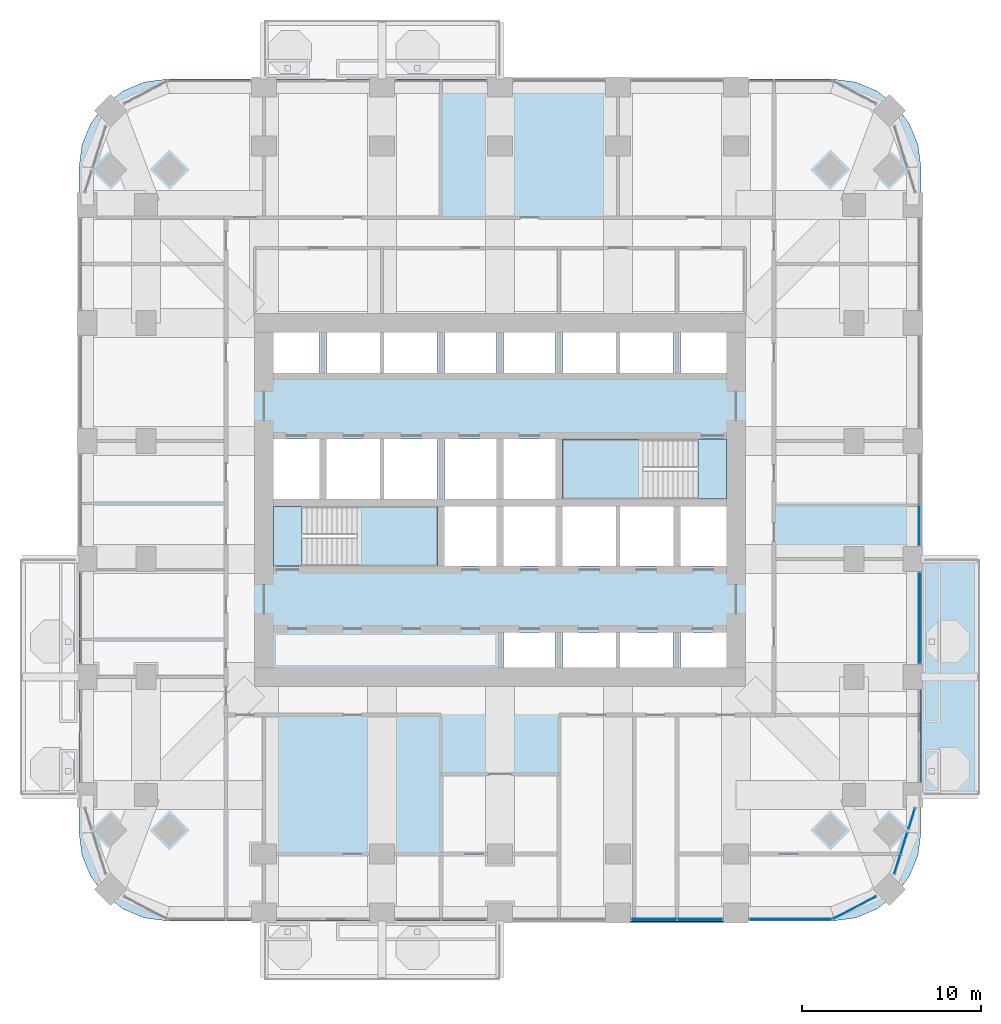
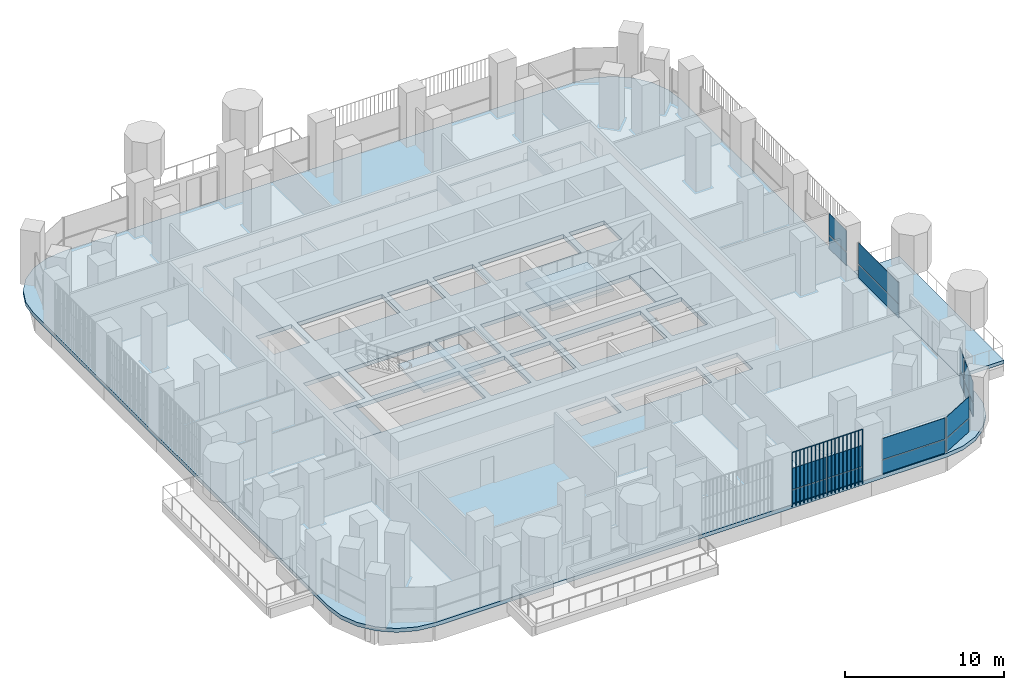
# One storey, part 9 of 21: 19 plates, 6 slabs, 9 elements without a shape of their own.
"""IFC4 building model written with IfcOpenShell, lengths in metres."""

from ifc_helpers import new_model, si_unit, direction, frame, origin, origin_2d, place, context, subcontext, project, spatial, polyline, rectangle, outline, extrude, material, layer, layer_set, type_object, element, aggregate, save


model = new_model("IFC4")

# Units and contexts
model_context = context("Model", 3, precision=1e-05, world=origin(), true_north=direction((0.0, 1.0)))
body_context = subcontext(model_context, "Body", "Model", "MODEL_VIEW")
ifc_project = project(units=[si_unit("LENGTHUNIT", "METRE"), si_unit("AREAUNIT", "SQUARE_METRE"), si_unit("VOLUMEUNIT", "CUBIC_METRE"), si_unit("PLANEANGLEUNIT", "RADIAN"), si_unit("MASSUNIT", "GRAM", prefix="KILO")], contexts=[model_context])

# Site, building, storey
site_placement = place(None, origin())
site = spatial("IfcSite", under=ifc_project, at=site_placement, CompositionType="ELEMENT")
building_placement = place(site_placement, origin())
building = spatial("IfcBuilding", under=site, at=building_placement, Name="Cobogo Forest Laboratory Tower", CompositionType="ELEMENT")
storey_placement = place(building_placement, frame((0.0, 0.0, 132.60009765625)))
storey = spatial("IfcBuildingStorey", under=building, at=storey_placement, Name="L30", CompositionType="ELEMENT", Elevation=132.60009765625)

# Slabs
ifc_material_1 = material(Name="Concrete HA-40 (C40/50)", Category="concrete")
ifc_layer_1 = layer(ifc_material_1, 0.25)
ifc_layer_set_1 = layer_set([ifc_layer_1], Name="Balcony slab 250")
slab_type_1 = type_object("IfcSlabType", Name="Balcony slab 250", PredefinedType="FLOOR", material=ifc_layer_set_1)
slab_1_placement = place(storey_placement, frame((0.0, 0.0, -0.25)))
element("IfcSlab", 1, at=slab_1_placement, inside=storey, type_object=slab_type_1, Name="Balcony BAL-E1 L30", PredefinedType="FLOOR", context=body_context, shape_type="SweptSolid", body=[
    extrude(outline(polyline([(49.949951171875, 6.60009765625), (53.25, 6.60009765625), (53.25, 19.800048828125), (49.949951171875, 19.800048828125), (49.949951171875, 6.60009765625)])), origin(), (0.0, 0.0, 1.0), 0.25),
])
ifc_layer_2 = layer(ifc_material_1, 0.300048828125)
ifc_layer_set_2 = layer_set([ifc_layer_2], Name="Floor slab 300")
slab_type_2 = type_object("IfcSlabType", Name="Floor slab 300", PredefinedType="FLOOR", material=ifc_layer_set_2)
slab_2_placement = place(storey_placement, frame((0.0, 0.0, -0.300048828125)))
element("IfcSlab", 2, at=slab_2_placement, inside=storey, type_object=slab_type_2, Name="L30 floor slab", PredefinedType="FLOOR", context=body_context, shape_type="SweptSolid", body=[
    extrude(outline(polyline([(45.0, -0.449951171875), (46.28125, -0.28125), (47.47509765625, 0.213134765625), (48.500244140625, 0.999755859375), (49.286865234375, 2.02490234375), (49.78125, 3.21875), (49.949951171875, 4.5), (49.949951171875, 41.699951171875), (49.78125, 42.981201171875), (49.286865234375, 44.175048828125), (48.500244140625, 45.2001953125), (47.47509765625, 45.98681640625), (46.28125, 46.4814453125), (45.0, 46.64990234375), (7.800048828125, 46.64990234375), (6.518798828125, 46.4814453125), (5.324951171875, 45.98681640625), (4.2998046875, 45.2001953125), (3.51318359375, 44.175048828125), (3.0185546875, 42.981201171875), (2.85009765625, 41.699951171875), (2.85009765625, 4.5), (3.0185546875, 3.21875), (3.51318359375, 2.02490234375), (4.2998046875, 0.999755859375), (5.324951171875, 0.213134765625), (6.518798828125, -0.28125), (7.800048828125, -0.449951171875), (45.0, -0.449951171875)]), holes=[polyline([(29.5, 13.72509765625), (26.60009765625, 13.72509765625), (26.60009765625, 15.699951171875), (29.5, 15.699951171875), (29.5, 13.72509765625)]), polyline([(36.10009765625, 15.699951171875), (36.10009765625, 13.72509765625), (29.89990234375, 13.72509765625), (29.89990234375, 15.699951171875), (36.10009765625, 15.699951171875)]), polyline([(36.5, 13.72509765625), (36.5, 15.699951171875), (39.074951171875, 15.699951171875), (39.074951171875, 13.72509765625), (36.5, 13.72509765625)]), polyline([(13.72509765625, 19.39990234375), (13.72509765625, 22.75), (22.89990234375, 22.75), (22.89990234375, 19.39990234375), (13.72509765625, 19.39990234375)]), polyline([(23.300048828125, 19.39990234375), (23.300048828125, 22.75), (26.199951171875, 22.75), (26.199951171875, 19.39990234375), (23.300048828125, 19.39990234375)]), polyline([(29.5, 19.39990234375), (26.60009765625, 19.39990234375), (26.60009765625, 22.75), (29.5, 22.75), (29.5, 19.39990234375)]), polyline([(36.10009765625, 22.75), (36.10009765625, 19.39990234375), (29.89990234375, 19.39990234375), (29.89990234375, 22.75), (36.10009765625, 22.75)]), polyline([(39.074951171875, 19.39990234375), (36.5, 19.39990234375), (36.5, 22.75), (39.074951171875, 22.75), (39.074951171875, 19.39990234375)]), polyline([(16.300048828125, 23.14990234375), (13.72509765625, 23.14990234375), (13.72509765625, 26.5), (16.300048828125, 26.5), (16.300048828125, 23.14990234375)]), polyline([(22.89990234375, 26.5), (22.89990234375, 23.14990234375), (16.699951171875, 23.14990234375), (16.699951171875, 26.5), (22.89990234375, 26.5)]), polyline([(26.199951171875, 23.14990234375), (23.300048828125, 23.14990234375), (23.300048828125, 26.5), (26.199951171875, 26.5), (26.199951171875, 23.14990234375)]), polyline([(26.60009765625, 23.14990234375), (26.60009765625, 26.5), (29.5, 26.5), (29.5, 23.14990234375), (26.60009765625, 23.14990234375)]), polyline([(29.89990234375, 23.14990234375), (29.89990234375, 26.5), (39.074951171875, 26.5), (39.074951171875, 23.14990234375), (29.89990234375, 23.14990234375)]), polyline([(13.72509765625, 30.199951171875), (13.72509765625, 32.47509765625), (16.300048828125, 32.47509765625), (16.300048828125, 30.199951171875), (13.72509765625, 30.199951171875)]), polyline([(22.89990234375, 32.47509765625), (22.89990234375, 30.199951171875), (16.699951171875, 30.199951171875), (16.699951171875, 32.47509765625), (22.89990234375, 32.47509765625)]), polyline([(23.300048828125, 30.199951171875), (23.300048828125, 32.47509765625), (26.199951171875, 32.47509765625), (26.199951171875, 30.199951171875), (23.300048828125, 30.199951171875)]), polyline([(26.60009765625, 30.199951171875), (26.60009765625, 32.47509765625), (29.5, 32.47509765625), (29.5, 30.199951171875), (26.60009765625, 30.199951171875)]), polyline([(36.10009765625, 32.47509765625), (36.10009765625, 30.199951171875), (29.89990234375, 30.199951171875), (29.89990234375, 32.47509765625), (36.10009765625, 32.47509765625)]), polyline([(36.5, 30.199951171875), (36.5, 32.47509765625), (39.074951171875, 32.47509765625), (39.074951171875, 30.199951171875), (36.5, 30.199951171875)])]), origin(), (0.0, 0.0, 1.0), 0.300048828125),
])

# Curtain wall, plates
ifc_material_2 = material(Name="Aluminium curtain wall", Category="aluminium")
curtain_wall_type = type_object("IfcCurtainWallType", Name="CW-1 unitised curtain wall, clear glazing, laboratory floors zones A and B", PredefinedType="USERDEFINED", material=ifc_material_2)
curtain_wall_1_placement = place(storey_placement, origin())
curtain_wall_1 = element("IfcCurtainWall", 3, at=curtain_wall_1_placement, inside=storey, type_object=curtain_wall_type, Name="Curtain wall 05 L30", ObjectType="UNITISED CURTAIN WALL", PredefinedType="USERDEFINED")
ifc_material_3 = material(Name="Clear insulated glass", Category="glass")
ifc_layer_3 = layer(ifc_material_3, 0.028076171875)
ifc_layer_set_3 = layer_set([ifc_layer_3], Name="GP-1 clear insulated glass unit 28")
plate_type_1 = type_object("IfcPlateType", Name="GP-1 clear insulated glass unit 28", PredefinedType="CURTAIN_PANEL", material=ifc_layer_set_3)
plate_1_placement = place(storey_placement, frame((35.014892578125, -0.35009765625, 0.0), z_axis=(0.0, 0.0, 1.0), x_axis=(1.0, 0.0, 0.0)))
plate_1 = element("IfcPlate", 4, at=plate_1_placement, type_object=plate_type_1, Name="CW-1 panel 1.1", PredefinedType="CURTAIN_PANEL", context=body_context, shape_type="SweptSolid", body=[
    extrude(rectangle(XDim=2.510009765625, YDim=0.028076171875, at=origin_2d()), origin(), (0.0, 0.0, 1.0), 1.02001953125),
])
plate_2_placement = place(storey_placement, frame((35.014892578125, -0.35009765625, 1.079833984375), z_axis=(0.0, 0.0, 1.0), x_axis=(1.0, 0.0, 0.0)))
plate_2 = element("IfcPlate", 5, at=plate_2_placement, type_object=plate_type_1, Name="CW-1 panel 1.2", PredefinedType="CURTAIN_PANEL", context=body_context, shape_type="SweptSolid", body=[
    extrude(rectangle(XDim=2.510009765625, YDim=0.028076171875, at=origin_2d()), origin(), (0.0, 0.0, 1.0), 1.6201171875),
])
plate_3_placement = place(storey_placement, frame((37.5849609375, -0.35009765625, 0.0), z_axis=(0.0, 0.0, 1.0), x_axis=(1.0, 0.0, 0.0)))
plate_3 = element("IfcPlate", 6, at=plate_3_placement, type_object=plate_type_1, Name="CW-1 panel 2.1", PredefinedType="CURTAIN_PANEL", context=body_context, shape_type="SweptSolid", body=[
    extrude(rectangle(XDim=2.510009765625, YDim=0.028076171875, at=origin_2d()), origin(), (0.0, 0.0, 1.0), 1.02001953125),
])
plate_4_placement = place(storey_placement, frame((37.5849609375, -0.35009765625, 1.079833984375), z_axis=(0.0, 0.0, 1.0), x_axis=(1.0, 0.0, 0.0)))
plate_4 = element("IfcPlate", 7, at=plate_4_placement, type_object=plate_type_1, Name="CW-1 panel 2.2", PredefinedType="CURTAIN_PANEL", context=body_context, shape_type="SweptSolid", body=[
    extrude(rectangle(XDim=2.510009765625, YDim=0.028076171875, at=origin_2d()), origin(), (0.0, 0.0, 1.0), 1.6201171875),
])
aggregate(curtain_wall_1, [plate_1, plate_2, plate_3, plate_4])

curtain_wall_2_placement = place(storey_placement, origin())
curtain_wall_2 = element("IfcCurtainWall", 8, at=curtain_wall_2_placement, inside=storey, type_object=curtain_wall_type, Name="Curtain wall 06 L30", ObjectType="UNITISED CURTAIN WALL", PredefinedType="USERDEFINED")
plate_5_placement = place(storey_placement, frame((42.64990234375, -0.35009765625, 0.0), z_axis=(0.0, 0.0, 1.0), x_axis=(1.0, 0.0, 0.0)))
plate_5 = element("IfcPlate", 9, at=plate_5_placement, type_object=plate_type_1, Name="CW-1 panel 1.1", PredefinedType="CURTAIN_PANEL", context=body_context, shape_type="SweptSolid", body=[
    extrude(rectangle(XDim=4.580078125, YDim=0.028076171875, at=origin_2d()), origin(), (0.0, 0.0, 1.0), 1.02001953125),
])
plate_6_placement = place(storey_placement, frame((42.64990234375, -0.35009765625, 1.079833984375), z_axis=(0.0, 0.0, 1.0), x_axis=(1.0, 0.0, 0.0)))
plate_6 = element("IfcPlate", 10, at=plate_6_placement, type_object=plate_type_1, Name="CW-1 panel 1.2", PredefinedType="CURTAIN_PANEL", context=body_context, shape_type="SweptSolid", body=[
    extrude(rectangle(XDim=4.580078125, YDim=0.028076171875, at=origin_2d()), origin(), (0.0, 0.0, 1.0), 1.6201171875),
])
aggregate(curtain_wall_2, [plate_5, plate_6])

curtain_wall_3_placement = place(storey_placement, origin())
curtain_wall_3 = element("IfcCurtainWall", 11, at=curtain_wall_3_placement, inside=storey, type_object=curtain_wall_type, Name="Curtain wall 07 L30", ObjectType="UNITISED CURTAIN WALL", PredefinedType="USERDEFINED")
plate_7_placement = place(storey_placement, frame((46.229248046875, 0.29443359375, 0.0), z_axis=(0.0, 0.0, 1.0), x_axis=(0.885686547075, 0.464283685186, 0.0)))
plate_7 = element("IfcPlate", 12, at=plate_7_placement, type_object=plate_type_1, Name="CW-1 panel 1.1", PredefinedType="CURTAIN_PANEL", context=body_context, shape_type="SweptSolid", body=[
    extrude(rectangle(XDim=2.655517578125, YDim=0.028076171875, at=origin_2d()), origin(), (0.0, 0.0, 1.0), 1.02001953125),
])
plate_8_placement = place(storey_placement, frame((46.229248046875, 0.29443359375, 1.079833984375), z_axis=(0.0, 0.0, 1.0), x_axis=(0.885686547075, 0.464283685186, 0.0)))
plate_8 = element("IfcPlate", 13, at=plate_8_placement, type_object=plate_type_1, Name="CW-1 panel 1.2", PredefinedType="CURTAIN_PANEL", context=body_context, shape_type="SweptSolid", body=[
    extrude(rectangle(XDim=2.655517578125, YDim=0.028076171875, at=origin_2d()), origin(), (0.0, 0.0, 1.0), 1.6201171875),
])
aggregate(curtain_wall_3, [plate_7, plate_8])

curtain_wall_4_placement = place(storey_placement, origin())
curtain_wall_4 = element("IfcCurtainWall", 14, at=curtain_wall_4_placement, inside=storey, type_object=curtain_wall_type, Name="Curtain wall 08 L30", ObjectType="UNITISED CURTAIN WALL", PredefinedType="USERDEFINED")
plate_9_placement = place(storey_placement, frame((48.6279296875, 2.73046875, 0.0), z_axis=(0.0, 0.0, 1.0), x_axis=(0.301135291996, 0.953581425949, 0.0)))
plate_9 = element("IfcPlate", 15, at=plate_9_placement, type_object=plate_type_1, Name="CW-1 panel 1.1", PredefinedType="CURTAIN_PANEL", context=body_context, shape_type="SweptSolid", body=[
    extrude(rectangle(XDim=1.083984375, YDim=0.028076171875, at=origin_2d()), origin(), (0.0, 0.0, 1.0), 1.02001953125),
])
plate_10_placement = place(storey_placement, frame((48.6279296875, 2.73046875, 1.079833984375), z_axis=(0.0, 0.0, 1.0), x_axis=(0.301135291996, 0.953581425949, 0.0)))
plate_10 = element("IfcPlate", 16, at=plate_10_placement, type_object=plate_type_1, Name="CW-1 panel 1.2", PredefinedType="CURTAIN_PANEL", context=body_context, shape_type="SweptSolid", body=[
    extrude(rectangle(XDim=1.083984375, YDim=0.028076171875, at=origin_2d()), origin(), (0.0, 0.0, 1.0), 1.6201171875),
])
plate_11_placement = place(storey_placement, frame((48.99365234375, 3.88818359375, 0.0), z_axis=(0.0, 0.0, 1.0), x_axis=(0.301135291996, 0.953581425949, 0.0)))
plate_11 = element("IfcPlate", 17, at=plate_11_placement, type_object=plate_type_1, Name="CW-1 panel 2.1", PredefinedType="CURTAIN_PANEL", context=body_context, shape_type="SweptSolid", body=[
    extrude(rectangle(XDim=1.223876953125, YDim=0.028076171875, at=origin_2d()), origin(), (0.0, 0.0, 1.0), 1.02001953125),
])
plate_12_placement = place(storey_placement, frame((48.99365234375, 3.88818359375, 1.079833984375), z_axis=(0.0, 0.0, 1.0), x_axis=(0.301135291996, 0.953581425949, 0.0)))
plate_12 = element("IfcPlate", 18, at=plate_12_placement, type_object=plate_type_1, Name="CW-1 panel 2.2", PredefinedType="CURTAIN_PANEL", context=body_context, shape_type="SweptSolid", body=[
    extrude(rectangle(XDim=1.223876953125, YDim=0.028076171875, at=origin_2d()), origin(), (0.0, 0.0, 1.0), 1.6201171875),
])
aggregate(curtain_wall_4, [plate_9, plate_10, plate_11, plate_12])

curtain_wall_5_placement = place(storey_placement, origin())
curtain_wall_5 = element("IfcCurtainWall", 19, at=curtain_wall_5_placement, inside=storey, type_object=curtain_wall_type, Name="Curtain wall 09 L30", ObjectType="UNITISED CURTAIN WALL", PredefinedType="USERDEFINED")
plate_13_placement = place(storey_placement, frame((49.433837890625, 5.2822265625, 0.0), z_axis=(0.0, 0.0, 1.0), x_axis=(0.301135356805, 0.953581405483, 0.0)))
plate_13 = element("IfcPlate", 20, at=plate_13_placement, type_object=plate_type_1, Name="CW-1 panel 1.1", PredefinedType="CURTAIN_PANEL", context=body_context, shape_type="SweptSolid", body=[
    extrude(rectangle(XDim=1.17578125, YDim=0.028076171875, at=origin_2d()), origin(), (0.0, 0.0, 1.0), 1.02001953125),
])
plate_14_placement = place(storey_placement, frame((49.433837890625, 5.2822265625, 1.079833984375), z_axis=(0.0, 0.0, 1.0), x_axis=(0.301135356805, 0.953581405483, 0.0)))
plate_14 = element("IfcPlate", 21, at=plate_14_placement, type_object=plate_type_1, Name="CW-1 panel 1.2", PredefinedType="CURTAIN_PANEL", context=body_context, shape_type="SweptSolid", body=[
    extrude(rectangle(XDim=1.17578125, YDim=0.028076171875, at=origin_2d()), origin(), (0.0, 0.0, 1.0), 1.6201171875),
])
aggregate(curtain_wall_5, [plate_13, plate_14])

curtain_wall_6_placement = place(storey_placement, origin())
curtain_wall_6 = element("IfcCurtainWall", 22, at=curtain_wall_6_placement, inside=storey, type_object=curtain_wall_type, Name="Curtain wall 11 L30", ObjectType="UNITISED CURTAIN WALL", PredefinedType="USERDEFINED")
plate_15_placement = place(storey_placement, frame((49.85009765625, 16.5, 0.0), z_axis=(0.0, 0.0, 1.0), x_axis=(0.0, 1.0, 0.0)))
plate_15 = element("IfcPlate", 23, at=plate_15_placement, type_object=plate_type_1, Name="CW-1 panel 1.1", PredefinedType="CURTAIN_PANEL", context=body_context, shape_type="SweptSolid", body=[
    extrude(rectangle(XDim=5.080078125, YDim=0.028076171875, at=origin_2d()), origin(), (0.0, 0.0, 1.0), 1.02001953125),
])
plate_16_placement = place(storey_placement, frame((49.85009765625, 16.5, 1.079833984375), z_axis=(0.0, 0.0, 1.0), x_axis=(0.0, 1.0, 0.0)))
plate_16 = element("IfcPlate", 24, at=plate_16_placement, type_object=plate_type_1, Name="CW-1 panel 1.2", PredefinedType="CURTAIN_PANEL", context=body_context, shape_type="SweptSolid", body=[
    extrude(rectangle(XDim=5.080078125, YDim=0.028076171875, at=origin_2d()), origin(), (0.0, 0.0, 1.0), 1.6201171875),
])
aggregate(curtain_wall_6, [plate_15, plate_16])

curtain_wall_7_placement = place(storey_placement, origin())
curtain_wall_7 = element("IfcCurtainWall", 25, at=curtain_wall_7_placement, inside=storey, type_object=curtain_wall_type, Name="Curtain wall 12 L30", ObjectType="UNITISED CURTAIN WALL", PredefinedType="USERDEFINED")
plate_17_placement = place(storey_placement, frame((49.85009765625, 21.6650390625, 0.0), z_axis=(0.0, 0.0, 1.0), x_axis=(0.0, 1.0, 0.0)))
plate_17 = element("IfcPlate", 26, at=plate_17_placement, type_object=plate_type_1, Name="CW-1 panel 1.1", PredefinedType="CURTAIN_PANEL", context=body_context, shape_type="SweptSolid", body=[
    extrude(rectangle(XDim=2.2099609375, YDim=0.028076171875, at=origin_2d()), origin(), (0.0, 0.0, 1.0), 1.02001953125),
])
plate_18_placement = place(storey_placement, frame((49.85009765625, 21.6650390625, 1.079833984375), z_axis=(0.0, 0.0, 1.0), x_axis=(0.0, 1.0, 0.0)))
plate_18 = element("IfcPlate", 27, at=plate_18_placement, type_object=plate_type_1, Name="CW-1 panel 1.2", PredefinedType="CURTAIN_PANEL", context=body_context, shape_type="SweptSolid", body=[
    extrude(rectangle(XDim=2.2099609375, YDim=0.028076171875, at=origin_2d()), origin(), (0.0, 0.0, 1.0), 1.6201171875),
])
aggregate(curtain_wall_7, [plate_17, plate_18])

# Stair, slabs
ifc_material_4 = material(Name="Precast concrete HA-40 (C40/50)", Category="concrete")
stair_type = type_object("IfcStairType", Name="ST24 exit stair 24 risers", PredefinedType="HALF_TURN_STAIR", material=ifc_material_4)
stair_1_placement = place(storey_placement, origin())
stair_1 = element("IfcStair", 28, at=stair_1_placement, inside=storey, type_object=stair_type, Name="Stair 1 L30 to L31", PredefinedType="HALF_TURN_STAIR")
ifc_layer_4 = layer(ifc_material_1, 0.199951171875)
ifc_layer_set_4 = layer_set([ifc_layer_4], Name="SL stair landing 200")
slab_type_3 = type_object("IfcSlabType", Name="SL stair landing 200", PredefinedType="LANDING", material=ifc_layer_set_4)
slab_3_placement = place(storey_placement, frame((0.0, 0.0, -0.2001953125)))
slab_3 = element("IfcSlab", 29, at=slab_3_placement, type_object=slab_type_3, Name="ST1 landing 1", PredefinedType="LANDING", context=body_context, shape_type="SweptSolid", body=[
    extrude(outline(polyline([(13.72509765625, 19.39990234375), (15.326904296875, 19.39990234375), (15.326904296875, 22.75), (13.72509765625, 22.75), (13.72509765625, 19.39990234375)])), origin(), (0.0, 0.0, 1.0), 0.2001953125),
])
slab_4_placement = place(storey_placement, frame((0.0, 0.0, 1.89990234375)))
slab_4 = element("IfcSlab", 30, at=slab_4_placement, type_object=slab_type_3, Name="ST1 landing 2", PredefinedType="LANDING", context=body_context, shape_type="SweptSolid", body=[
    extrude(outline(polyline([(18.403076171875, 19.39990234375), (22.89990234375, 19.39990234375), (22.89990234375, 22.75), (18.403076171875, 22.75), (18.403076171875, 19.39990234375)])), origin(), (0.0, 0.0, 1.0), 0.199951171875),
])
aggregate(stair_1, [slab_3, slab_4])

stair_2_placement = place(storey_placement, origin())
stair_2 = element("IfcStair", 31, at=stair_2_placement, inside=storey, type_object=stair_type, Name="Stair 2 L30 to L31", PredefinedType="HALF_TURN_STAIR")
slab_5_placement = place(storey_placement, frame((0.0, 0.0, -0.2001953125)))
slab_5 = element("IfcSlab", 32, at=slab_5_placement, type_object=slab_type_3, Name="ST2 landing 1", PredefinedType="LANDING", context=body_context, shape_type="SweptSolid", body=[
    extrude(outline(polyline([(37.472900390625, 23.14990234375), (39.074951171875, 23.14990234375), (39.074951171875, 26.5), (37.472900390625, 26.5), (37.472900390625, 23.14990234375)])), origin(), (0.0, 0.0, 1.0), 0.2001953125),
])
slab_6_placement = place(storey_placement, frame((0.0, 0.0, 1.89990234375)))
slab_6 = element("IfcSlab", 33, at=slab_6_placement, type_object=slab_type_3, Name="ST2 landing 2", PredefinedType="LANDING", context=body_context, shape_type="SweptSolid", body=[
    extrude(outline(polyline([(29.89990234375, 23.14990234375), (34.39697265625, 23.14990234375), (34.39697265625, 26.5), (29.89990234375, 26.5), (29.89990234375, 23.14990234375)])), origin(), (0.0, 0.0, 1.0), 0.199951171875),
])
aggregate(stair_2, [slab_5, slab_6])

# Plate
ifc_material_5 = material(Name="Terracotta", Category="masonry")
plate_type_2 = type_object("IfcPlateType", Name="TB1 terracotta baguette screen", PredefinedType="USERDEFINED", material=ifc_material_5)
plate_19_placement = place(storey_placement, frame((33.731201171875, -0.477783203125, -0.150146484375)))
element("IfcPlate", 34, at=plate_19_placement, inside=storey, type_object=plate_type_2, Name="Baguette screen S4 L30", ObjectType="BAGUETTE SCREEN", PredefinedType="USERDEFINED", context=body_context, shape_type="SweptSolid", body=[
    extrude(outline(polyline([(0.02880859375, 0.011962890625), (0.011962890625, 0.02880859375), (-0.011962890625, 0.02880859375), (-0.02880859375, 0.011962890625), (-0.02880859375, -0.011962890625), (-0.011962890625, -0.02880859375), (0.011962890625, -0.02880859375), (0.02880859375, -0.011962890625), (0.02880859375, 0.011962890625)])), frame((0.0, 0.0, 4.168701171875), z_axis=(1.0, 0.0, 0.0), x_axis=(0.0, 1.0, 0.0)), (0.0, 0.0, 1.0), 5.137451171875),
    extrude(outline(polyline([(0.02880859375, 0.011962890625), (0.011962890625, 0.02880859375), (-0.011962890625, 0.02880859375), (-0.02880859375, 0.011962890625), (-0.02880859375, -0.011962890625), (-0.011962890625, -0.02880859375), (0.011962890625, -0.02880859375), (0.02880859375, -0.011962890625), (0.02880859375, 0.011962890625)])), origin(), (0.0, 0.0, 1.0), 4.137451171875),
    extrude(outline(polyline([(0.02880859375, 0.011962890625), (0.011962890625, 0.02880859375), (-0.011962890625, 0.02880859375), (-0.02880859375, 0.011962890625), (-0.02880859375, -0.011962890625), (-0.011962890625, -0.02880859375), (0.011962890625, -0.02880859375), (0.02880859375, -0.011962890625), (0.02880859375, 0.011962890625)])), frame((0.285400390625, 0.0, 0.0)), (0.0, 0.0, 1.0), 4.137451171875),
    extrude(outline(polyline([(0.02880859375, 0.011962890625), (0.011962890625, 0.02880859375), (-0.011962890625, 0.02880859375), (-0.02880859375, 0.011962890625), (-0.02880859375, -0.011962890625), (-0.011962890625, -0.02880859375), (0.011962890625, -0.02880859375), (0.02880859375, -0.011962890625), (0.02880859375, 0.011962890625)])), frame((0.57080078125, 0.0, 0.0)), (0.0, 0.0, 1.0), 4.137451171875),
    extrude(outline(polyline([(0.02880859375, 0.011962890625), (0.011962890625, 0.02880859375), (-0.011962890625, 0.02880859375), (-0.02880859375, 0.011962890625), (-0.02880859375, -0.011962890625), (-0.011962890625, -0.02880859375), (0.011962890625, -0.02880859375), (0.02880859375, -0.011962890625), (0.02880859375, 0.011962890625)])), frame((0.856201171875, 0.0, 0.0)), (0.0, 0.0, 1.0), 4.137451171875),
    extrude(outline(polyline([(0.02880859375, 0.011962890625), (0.011962890625, 0.02880859375), (-0.011962890625, 0.02880859375), (-0.02880859375, 0.011962890625), (-0.02880859375, -0.011962890625), (-0.011962890625, -0.02880859375), (0.011962890625, -0.02880859375), (0.02880859375, -0.011962890625), (0.02880859375, 0.011962890625)])), frame((1.1416015625, 0.0, 0.0)), (0.0, 0.0, 1.0), 4.137451171875),
    extrude(outline(polyline([(0.02880859375, 0.011962890625), (0.011962890625, 0.02880859375), (-0.011962890625, 0.02880859375), (-0.02880859375, 0.011962890625), (-0.02880859375, -0.011962890625), (-0.011962890625, -0.02880859375), (0.011962890625, -0.02880859375), (0.02880859375, -0.011962890625), (0.02880859375, 0.011962890625)])), frame((1.427001953125, 0.0, 0.0)), (0.0, 0.0, 1.0), 4.137451171875),
    extrude(outline(polyline([(0.02880859375, 0.011962890625), (0.011962890625, 0.02880859375), (-0.011962890625, 0.02880859375), (-0.02880859375, 0.011962890625), (-0.02880859375, -0.011962890625), (-0.011962890625, -0.02880859375), (0.011962890625, -0.02880859375), (0.02880859375, -0.011962890625), (0.02880859375, 0.011962890625)])), frame((1.71240234375, 0.0, 0.0)), (0.0, 0.0, 1.0), 4.137451171875),
    extrude(outline(polyline([(0.02880859375, 0.011962890625), (0.011962890625, 0.02880859375), (-0.011962890625, 0.02880859375), (-0.02880859375, 0.011962890625), (-0.02880859375, -0.011962890625), (-0.011962890625, -0.02880859375), (0.011962890625, -0.02880859375), (0.02880859375, -0.011962890625), (0.02880859375, 0.011962890625)])), frame((1.997802734375, 0.0, 0.0)), (0.0, 0.0, 1.0), 4.137451171875),
    extrude(outline(polyline([(0.02880859375, 0.011962890625), (0.011962890625, 0.02880859375), (-0.011962890625, 0.02880859375), (-0.02880859375, 0.011962890625), (-0.02880859375, -0.011962890625), (-0.011962890625, -0.02880859375), (0.011962890625, -0.02880859375), (0.02880859375, -0.011962890625), (0.02880859375, 0.011962890625)])), frame((2.283203125, 0.0, 0.0)), (0.0, 0.0, 1.0), 4.137451171875),
    extrude(outline(polyline([(0.02880859375, 0.011962890625), (0.011962890625, 0.02880859375), (-0.011962890625, 0.02880859375), (-0.02880859375, 0.011962890625), (-0.02880859375, -0.011962890625), (-0.011962890625, -0.02880859375), (0.011962890625, -0.02880859375), (0.02880859375, -0.011962890625), (0.02880859375, 0.011962890625)])), frame((2.56884765625, 0.0, 0.0)), (0.0, 0.0, 1.0), 4.137451171875),
    extrude(outline(polyline([(0.02880859375, 0.011962890625), (0.011962890625, 0.02880859375), (-0.011962890625, 0.02880859375), (-0.02880859375, 0.011962890625), (-0.02880859375, -0.011962890625), (-0.011962890625, -0.02880859375), (0.011962890625, -0.02880859375), (0.02880859375, -0.011962890625), (0.02880859375, 0.011962890625)])), frame((2.854248046875, 0.0, 0.0)), (0.0, 0.0, 1.0), 4.137451171875),
    extrude(outline(polyline([(0.02880859375, 0.011962890625), (0.011962890625, 0.02880859375), (-0.011962890625, 0.02880859375), (-0.02880859375, 0.011962890625), (-0.02880859375, -0.011962890625), (-0.011962890625, -0.02880859375), (0.011962890625, -0.02880859375), (0.02880859375, -0.011962890625), (0.02880859375, 0.011962890625)])), frame((3.1396484375, 0.0, 0.0)), (0.0, 0.0, 1.0), 4.137451171875),
    extrude(outline(polyline([(0.02880859375, 0.011962890625), (0.011962890625, 0.02880859375), (-0.011962890625, 0.02880859375), (-0.02880859375, 0.011962890625), (-0.02880859375, -0.011962890625), (-0.011962890625, -0.02880859375), (0.011962890625, -0.02880859375), (0.02880859375, -0.011962890625), (0.02880859375, 0.011962890625)])), frame((3.425048828125, 0.0, 0.0)), (0.0, 0.0, 1.0), 4.137451171875),
    extrude(outline(polyline([(0.02880859375, 0.011962890625), (0.011962890625, 0.02880859375), (-0.011962890625, 0.02880859375), (-0.02880859375, 0.011962890625), (-0.02880859375, -0.011962890625), (-0.011962890625, -0.02880859375), (0.011962890625, -0.02880859375), (0.02880859375, -0.011962890625), (0.02880859375, 0.011962890625)])), frame((3.71044921875, 0.0, 0.0)), (0.0, 0.0, 1.0), 4.137451171875),
    extrude(outline(polyline([(0.02880859375, 0.011962890625), (0.011962890625, 0.02880859375), (-0.011962890625, 0.02880859375), (-0.02880859375, 0.011962890625), (-0.02880859375, -0.011962890625), (-0.011962890625, -0.02880859375), (0.011962890625, -0.02880859375), (0.02880859375, -0.011962890625), (0.02880859375, 0.011962890625)])), frame((3.995849609375, 0.0, 0.0)), (0.0, 0.0, 1.0), 4.137451171875),
    extrude(outline(polyline([(0.02880859375, 0.011962890625), (0.011962890625, 0.02880859375), (-0.011962890625, 0.02880859375), (-0.02880859375, 0.011962890625), (-0.02880859375, -0.011962890625), (-0.011962890625, -0.02880859375), (0.011962890625, -0.02880859375), (0.02880859375, -0.011962890625), (0.02880859375, 0.011962890625)])), frame((4.28125, 0.0, 0.0)), (0.0, 0.0, 1.0), 4.137451171875),
    extrude(outline(polyline([(0.02880859375, 0.011962890625), (0.011962890625, 0.02880859375), (-0.011962890625, 0.02880859375), (-0.02880859375, 0.011962890625), (-0.02880859375, -0.011962890625), (-0.011962890625, -0.02880859375), (0.011962890625, -0.02880859375), (0.02880859375, -0.011962890625), (0.02880859375, 0.011962890625)])), frame((4.566650390625, 0.0, 0.0)), (0.0, 0.0, 1.0), 4.137451171875),
    extrude(outline(polyline([(0.02880859375, 0.011962890625), (0.011962890625, 0.02880859375), (-0.011962890625, 0.02880859375), (-0.02880859375, 0.011962890625), (-0.02880859375, -0.011962890625), (-0.011962890625, -0.02880859375), (0.011962890625, -0.02880859375), (0.02880859375, -0.011962890625), (0.02880859375, 0.011962890625)])), frame((4.85205078125, 0.0, 0.0)), (0.0, 0.0, 1.0), 4.137451171875),
    extrude(outline(polyline([(0.02880859375, 0.011962890625), (0.011962890625, 0.02880859375), (-0.011962890625, 0.02880859375), (-0.02880859375, 0.011962890625), (-0.02880859375, -0.011962890625), (-0.011962890625, -0.02880859375), (0.011962890625, -0.02880859375), (0.02880859375, -0.011962890625), (0.02880859375, 0.011962890625)])), frame((5.137451171875, 0.0, 0.0)), (0.0, 0.0, 1.0), 4.137451171875),
])

save(model, "model.ifc")
